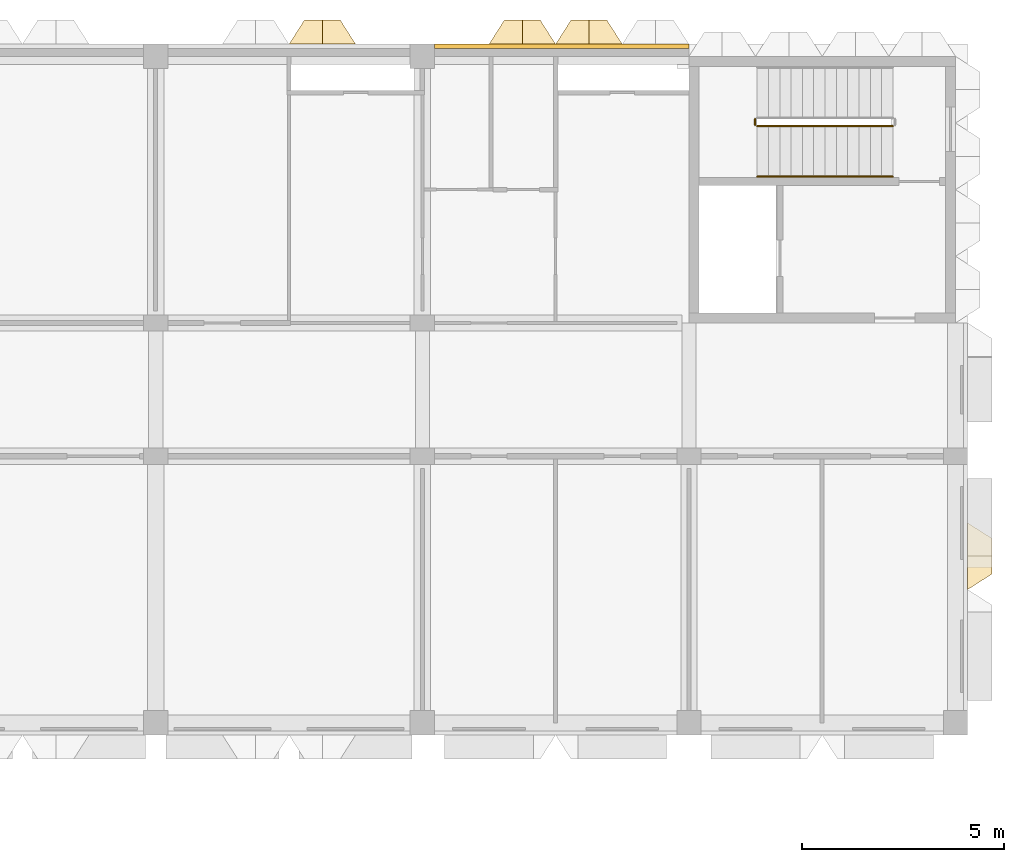
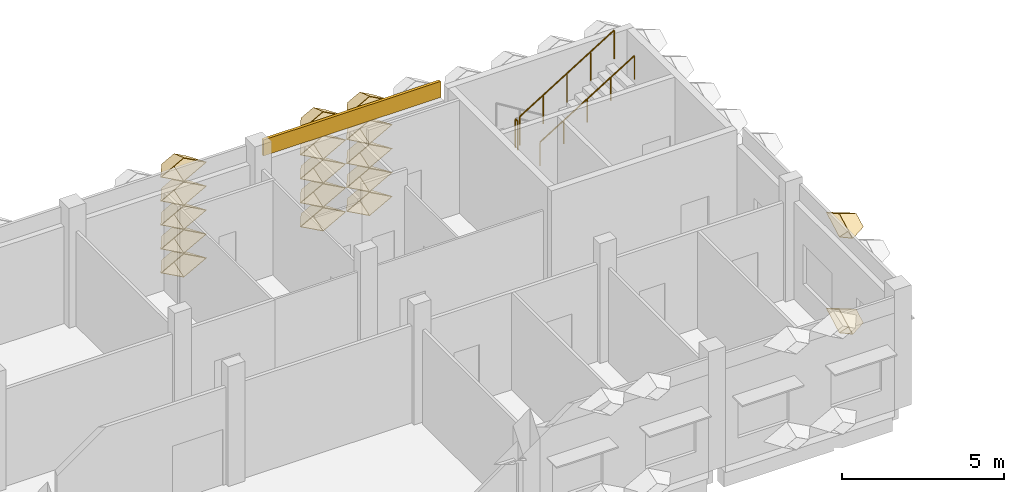
# One storey, part 98 of 102: 18 coverings, 3 railings.
"""IFC4 building model written with IfcOpenShell, lengths in metres."""

from ifc_helpers import new_model, entity, si_unit, direction, frame, frame_2d, origin, origin_2d, place, context, subcontext, project, spatial, rectangle, circle, extrude, material, layer, layer_set, type_object, element, save


model = new_model("IFC4")

# Units and contexts
model_context = context("Model", 3, precision=1e-05, world=origin(), true_north=direction((0.0, 1.0)))
body_context = subcontext(model_context, "Body", "Model", "MODEL_VIEW")
ifc_project = project(units=[si_unit("LENGTHUNIT", "METRE"), si_unit("AREAUNIT", "SQUARE_METRE"), si_unit("VOLUMEUNIT", "CUBIC_METRE"), si_unit("PLANEANGLEUNIT", "RADIAN"), si_unit("MASSUNIT", "GRAM", prefix="KILO")], contexts=[model_context])

# Site, building, storey
site_placement = place(None, origin())
site = spatial("IfcSite", under=ifc_project, at=site_placement, CompositionType="ELEMENT")
building_placement = place(site_placement, origin())
building = spatial("IfcBuilding", under=site, at=building_placement, Name="Lantern Court Research Institute", CompositionType="ELEMENT")
storey_placement = place(building_placement, frame((0.0, 0.0, 9.89990234375)))
storey = spatial("IfcBuildingStorey", under=building, at=storey_placement, Name="L02", CompositionType="ELEMENT", Elevation=9.89990234375)

# Coverings
ifc_material_1 = material(Name="Aluminium composite panel with mineral wool insulation", Category="aluminium")
ifc_layer_1 = layer(ifc_material_1, 0.10009765625)
ifc_layer_set_1 = layer_set([ifc_layer_1], Name="Aluminium composite panel with mineral wool insulation")
covering_type_1 = type_object("IfcCoveringType", Name="Edge fascia panel 100 aluminium faced", PredefinedType="CLADDING", material=ifc_layer_set_1)
covering_1_placement = place(storey_placement, frame((66.300048828125, 99.25, 3.650146484375), z_axis=(0.0, 0.0, 1.0), x_axis=(1.0, 0.0, 0.0)))
element("IfcCovering", 1, at=covering_1_placement, inside=storey, type_object=covering_type_1, Name="Edge fascia V6N L02 10", PredefinedType="CLADDING", context=body_context, shape_type="SweptSolid", body=[
    extrude(rectangle(XDim=6.300048828125, YDim=0.10009765625, at=frame_2d((3.14990234375, 0.0))), origin(), (0.0, 0.0, 1.0), 0.599853515625),
])
ifc_material_2 = material(Name="Anodised aluminium", Category="aluminium")
ifc_layer_2 = layer(ifc_material_2, 0.01611328125)
ifc_layer_set_2 = layer_set([ifc_layer_2], Name="Anodised aluminium")
covering_type_2 = type_object("IfcCoveringType", Name="Fin cassette 1650 x 900 x 600 aluminium", PredefinedType="CLADDING", material=ifc_layer_set_2)
covering_2_placement = place(storey_placement, frame((79.5, 86.625, 0.4501953125), z_axis=(1.0, 0.0, 0.0), x_axis=(0.0, 1.0, 0.0)))
cartesian_point_1 = entity("IfcCartesianPoint", [0.824951171875, 0.0])
cartesian_point_2 = entity("IfcCartesianPoint", [0.79150390625, 0.0])
cartesian_point_3 = entity("IfcCartesianPoint", [0.44189453125, 0.0])
cartesian_point_4 = entity("IfcCartesianPoint", [0.43359375, 0.0])
element("IfcCovering", 2, at=covering_2_placement, inside=storey, type_object=covering_type_2, Name="Fin cassette V6E-L02 1.53", PredefinedType="CLADDING", context=body_context, shape_type="SweptSolid", body=[
    entity("IfcExtrudedAreaSolidTapered", entity("IfcArbitraryProfileDefWithVoids", "AREA", None, entity("IfcPolyline", [cartesian_point_1, entity("IfcCartesianPoint", [0.0, 0.449951171875]), entity("IfcCartesianPoint", [-0.824951171875, 0.0]), entity("IfcCartesianPoint", [0.0, -0.449951171875]), cartesian_point_1]), [entity("IfcPolyline", [cartesian_point_2, entity("IfcCartesianPoint", [0.0, 0.431884765625]), entity("IfcCartesianPoint", [-0.79150390625, 0.0]), entity("IfcCartesianPoint", [0.0, -0.431884765625]), cartesian_point_2])]), entity("IfcAxis2Placement3D", entity("IfcCartesianPoint", [0.0, 0.0, 0.0])), entity("IfcDirection", [0.0, 0.0, 1.0]), 0.60009765625, entity("IfcArbitraryProfileDefWithVoids", "AREA", None, entity("IfcPolyline", [cartesian_point_3, entity("IfcCartesianPoint", [0.0, 0.240966796875]), entity("IfcCartesianPoint", [-0.44189453125, 0.0]), entity("IfcCartesianPoint", [0.0, -0.240966796875]), cartesian_point_3]), [entity("IfcPolyline", [cartesian_point_4, entity("IfcCartesianPoint", [0.0, 0.236572265625]), entity("IfcCartesianPoint", [-0.43359375, 0.0]), entity("IfcCartesianPoint", [0.0, -0.236572265625]), cartesian_point_4])])),
])
covering_3_placement = place(storey_placement, frame((79.5, 86.625, 4.050048828125), z_axis=(1.0, 0.0, 0.0), x_axis=(0.0, 1.0, 0.0)))
cartesian_point_5 = entity("IfcCartesianPoint", [0.824951171875, 0.0])
cartesian_point_6 = entity("IfcCartesianPoint", [0.79150390625, 0.0])
cartesian_point_7 = entity("IfcCartesianPoint", [0.44189453125, 0.0])
cartesian_point_8 = entity("IfcCartesianPoint", [0.43359375, 0.0])
element("IfcCovering", 3, at=covering_3_placement, inside=storey, type_object=covering_type_2, Name="Fin cassette V6E-L02 5.53", PredefinedType="CLADDING", context=body_context, shape_type="SweptSolid", body=[
    entity("IfcExtrudedAreaSolidTapered", entity("IfcArbitraryProfileDefWithVoids", "AREA", None, entity("IfcPolyline", [cartesian_point_5, entity("IfcCartesianPoint", [0.0, 0.449951171875]), entity("IfcCartesianPoint", [-0.824951171875, 0.0]), entity("IfcCartesianPoint", [0.0, -0.449951171875]), cartesian_point_5]), [entity("IfcPolyline", [cartesian_point_6, entity("IfcCartesianPoint", [0.0, 0.431884765625]), entity("IfcCartesianPoint", [-0.79150390625, 0.0]), entity("IfcCartesianPoint", [0.0, -0.431884765625]), cartesian_point_6])]), entity("IfcAxis2Placement3D", entity("IfcCartesianPoint", [0.0, 0.0, 0.0])), entity("IfcDirection", [0.0, 0.0, 1.0]), 0.60009765625, entity("IfcArbitraryProfileDefWithVoids", "AREA", None, entity("IfcPolyline", [cartesian_point_7, entity("IfcCartesianPoint", [0.0, 0.240966796875]), entity("IfcCartesianPoint", [-0.44189453125, 0.0]), entity("IfcCartesianPoint", [0.0, -0.240966796875]), cartesian_point_7]), [entity("IfcPolyline", [cartesian_point_8, entity("IfcCartesianPoint", [0.0, 0.236572265625]), entity("IfcCartesianPoint", [-0.43359375, 0.0]), entity("IfcCartesianPoint", [0.0, -0.236572265625]), cartesian_point_8])])),
])
covering_4_placement = place(storey_placement, frame((63.52490234375, 99.300048828125, 0.4501953125), z_axis=(0.0, 1.0, 0.0), x_axis=(-1.0, 0.0, 0.0)))
cartesian_point_9 = entity("IfcCartesianPoint", [0.824951171875, 0.0])
cartesian_point_10 = entity("IfcCartesianPoint", [0.79150390625, 0.0])
cartesian_point_11 = entity("IfcCartesianPoint", [0.44189453125, 0.0])
cartesian_point_12 = entity("IfcCartesianPoint", [0.43359375, 0.0])
element("IfcCovering", 4, at=covering_4_placement, inside=storey, type_object=covering_type_2, Name="Fin cassette V6N-L02 1.39", PredefinedType="CLADDING", context=body_context, shape_type="SweptSolid", body=[
    entity("IfcExtrudedAreaSolidTapered", entity("IfcArbitraryProfileDefWithVoids", "AREA", None, entity("IfcPolyline", [cartesian_point_9, entity("IfcCartesianPoint", [0.0, 0.449951171875]), entity("IfcCartesianPoint", [-0.824951171875, 0.0]), entity("IfcCartesianPoint", [0.0, -0.449951171875]), cartesian_point_9]), [entity("IfcPolyline", [cartesian_point_10, entity("IfcCartesianPoint", [0.0, 0.431884765625]), entity("IfcCartesianPoint", [-0.79150390625, 0.0]), entity("IfcCartesianPoint", [0.0, -0.431884765625]), cartesian_point_10])]), entity("IfcAxis2Placement3D", entity("IfcCartesianPoint", [0.0, 0.0, 0.0])), entity("IfcDirection", [0.0, 0.0, 1.0]), 0.60009765625, entity("IfcArbitraryProfileDefWithVoids", "AREA", None, entity("IfcPolyline", [cartesian_point_11, entity("IfcCartesianPoint", [0.0, 0.240966796875]), entity("IfcCartesianPoint", [-0.44189453125, 0.0]), entity("IfcCartesianPoint", [0.0, -0.240966796875]), cartesian_point_11]), [entity("IfcPolyline", [cartesian_point_12, entity("IfcCartesianPoint", [0.0, 0.236572265625]), entity("IfcCartesianPoint", [-0.43359375, 0.0]), entity("IfcCartesianPoint", [0.0, -0.236572265625]), cartesian_point_12])])),
])
covering_5_placement = place(storey_placement, frame((68.47509765625, 99.300048828125, 0.4501953125), z_axis=(0.0, 1.0, 0.0), x_axis=(-1.0, 0.0, 0.0)))
cartesian_point_13 = entity("IfcCartesianPoint", [0.824951171875, 0.0])
cartesian_point_14 = entity("IfcCartesianPoint", [0.79150390625, 0.0])
cartesian_point_15 = entity("IfcCartesianPoint", [0.44189453125, 0.0])
cartesian_point_16 = entity("IfcCartesianPoint", [0.43359375, 0.0])
element("IfcCovering", 5, at=covering_5_placement, inside=storey, type_object=covering_type_2, Name="Fin cassette V6N-L02 1.42", PredefinedType="CLADDING", context=body_context, shape_type="SweptSolid", body=[
    entity("IfcExtrudedAreaSolidTapered", entity("IfcArbitraryProfileDefWithVoids", "AREA", None, entity("IfcPolyline", [cartesian_point_13, entity("IfcCartesianPoint", [0.0, 0.449951171875]), entity("IfcCartesianPoint", [-0.824951171875, 0.0]), entity("IfcCartesianPoint", [0.0, -0.449951171875]), cartesian_point_13]), [entity("IfcPolyline", [cartesian_point_14, entity("IfcCartesianPoint", [0.0, 0.431884765625]), entity("IfcCartesianPoint", [-0.79150390625, 0.0]), entity("IfcCartesianPoint", [0.0, -0.431884765625]), cartesian_point_14])]), entity("IfcAxis2Placement3D", entity("IfcCartesianPoint", [0.0, 0.0, 0.0])), entity("IfcDirection", [0.0, 0.0, 1.0]), 0.60009765625, entity("IfcArbitraryProfileDefWithVoids", "AREA", None, entity("IfcPolyline", [cartesian_point_15, entity("IfcCartesianPoint", [0.0, 0.240966796875]), entity("IfcCartesianPoint", [-0.44189453125, 0.0]), entity("IfcCartesianPoint", [0.0, -0.240966796875]), cartesian_point_15]), [entity("IfcPolyline", [cartesian_point_16, entity("IfcCartesianPoint", [0.0, 0.236572265625]), entity("IfcCartesianPoint", [-0.43359375, 0.0]), entity("IfcCartesianPoint", [0.0, -0.236572265625]), cartesian_point_16])])),
])
covering_6_placement = place(storey_placement, frame((70.125, 99.300048828125, 0.4501953125), z_axis=(0.0, 1.0, 0.0), x_axis=(-1.0, 0.0, 0.0)))
cartesian_point_17 = entity("IfcCartesianPoint", [0.824951171875, 0.0])
cartesian_point_18 = entity("IfcCartesianPoint", [0.79150390625, 0.0])
cartesian_point_19 = entity("IfcCartesianPoint", [0.44189453125, 0.0])
cartesian_point_20 = entity("IfcCartesianPoint", [0.43359375, 0.0])
element("IfcCovering", 6, at=covering_6_placement, inside=storey, type_object=covering_type_2, Name="Fin cassette V6N-L02 1.43", PredefinedType="CLADDING", context=body_context, shape_type="SweptSolid", body=[
    entity("IfcExtrudedAreaSolidTapered", entity("IfcArbitraryProfileDefWithVoids", "AREA", None, entity("IfcPolyline", [cartesian_point_17, entity("IfcCartesianPoint", [0.0, 0.449951171875]), entity("IfcCartesianPoint", [-0.824951171875, 0.0]), entity("IfcCartesianPoint", [0.0, -0.449951171875]), cartesian_point_17]), [entity("IfcPolyline", [cartesian_point_18, entity("IfcCartesianPoint", [0.0, 0.431884765625]), entity("IfcCartesianPoint", [-0.79150390625, 0.0]), entity("IfcCartesianPoint", [0.0, -0.431884765625]), cartesian_point_18])]), entity("IfcAxis2Placement3D", entity("IfcCartesianPoint", [0.0, 0.0, 0.0])), entity("IfcDirection", [0.0, 0.0, 1.0]), 0.60009765625, entity("IfcArbitraryProfileDefWithVoids", "AREA", None, entity("IfcPolyline", [cartesian_point_19, entity("IfcCartesianPoint", [0.0, 0.240966796875]), entity("IfcCartesianPoint", [-0.44189453125, 0.0]), entity("IfcCartesianPoint", [0.0, -0.240966796875]), cartesian_point_19]), [entity("IfcPolyline", [cartesian_point_20, entity("IfcCartesianPoint", [0.0, 0.236572265625]), entity("IfcCartesianPoint", [-0.43359375, 0.0]), entity("IfcCartesianPoint", [0.0, -0.236572265625]), cartesian_point_20])])),
])
covering_7_placement = place(storey_placement, frame((63.52490234375, 99.300048828125, 1.35009765625), z_axis=(0.0, 1.0, 0.0), x_axis=(-1.0, 0.0, 0.0)))
cartesian_point_21 = entity("IfcCartesianPoint", [0.824951171875, 0.0])
cartesian_point_22 = entity("IfcCartesianPoint", [0.79150390625, 0.0])
cartesian_point_23 = entity("IfcCartesianPoint", [0.44189453125, 0.0])
cartesian_point_24 = entity("IfcCartesianPoint", [0.43359375, 0.0])
element("IfcCovering", 7, at=covering_7_placement, inside=storey, type_object=covering_type_2, Name="Fin cassette V6N-L02 2.39", PredefinedType="CLADDING", context=body_context, shape_type="SweptSolid", body=[
    entity("IfcExtrudedAreaSolidTapered", entity("IfcArbitraryProfileDefWithVoids", "AREA", None, entity("IfcPolyline", [cartesian_point_21, entity("IfcCartesianPoint", [0.0, 0.449951171875]), entity("IfcCartesianPoint", [-0.824951171875, 0.0]), entity("IfcCartesianPoint", [0.0, -0.449951171875]), cartesian_point_21]), [entity("IfcPolyline", [cartesian_point_22, entity("IfcCartesianPoint", [0.0, 0.431884765625]), entity("IfcCartesianPoint", [-0.79150390625, 0.0]), entity("IfcCartesianPoint", [0.0, -0.431884765625]), cartesian_point_22])]), entity("IfcAxis2Placement3D", entity("IfcCartesianPoint", [0.0, 0.0, 0.0])), entity("IfcDirection", [0.0, 0.0, 1.0]), 0.60009765625, entity("IfcArbitraryProfileDefWithVoids", "AREA", None, entity("IfcPolyline", [cartesian_point_23, entity("IfcCartesianPoint", [0.0, 0.240966796875]), entity("IfcCartesianPoint", [-0.44189453125, 0.0]), entity("IfcCartesianPoint", [0.0, -0.240966796875]), cartesian_point_23]), [entity("IfcPolyline", [cartesian_point_24, entity("IfcCartesianPoint", [0.0, 0.236572265625]), entity("IfcCartesianPoint", [-0.43359375, 0.0]), entity("IfcCartesianPoint", [0.0, -0.236572265625]), cartesian_point_24])])),
])
covering_8_placement = place(storey_placement, frame((68.47509765625, 99.300048828125, 1.35009765625), z_axis=(0.0, 1.0, 0.0), x_axis=(-1.0, 0.0, 0.0)))
cartesian_point_25 = entity("IfcCartesianPoint", [0.824951171875, 0.0])
cartesian_point_26 = entity("IfcCartesianPoint", [0.79150390625, 0.0])
cartesian_point_27 = entity("IfcCartesianPoint", [0.44189453125, 0.0])
cartesian_point_28 = entity("IfcCartesianPoint", [0.43359375, 0.0])
element("IfcCovering", 8, at=covering_8_placement, inside=storey, type_object=covering_type_2, Name="Fin cassette V6N-L02 2.42", PredefinedType="CLADDING", context=body_context, shape_type="SweptSolid", body=[
    entity("IfcExtrudedAreaSolidTapered", entity("IfcArbitraryProfileDefWithVoids", "AREA", None, entity("IfcPolyline", [cartesian_point_25, entity("IfcCartesianPoint", [0.0, 0.449951171875]), entity("IfcCartesianPoint", [-0.824951171875, 0.0]), entity("IfcCartesianPoint", [0.0, -0.449951171875]), cartesian_point_25]), [entity("IfcPolyline", [cartesian_point_26, entity("IfcCartesianPoint", [0.0, 0.431884765625]), entity("IfcCartesianPoint", [-0.79150390625, 0.0]), entity("IfcCartesianPoint", [0.0, -0.431884765625]), cartesian_point_26])]), entity("IfcAxis2Placement3D", entity("IfcCartesianPoint", [0.0, 0.0, 0.0])), entity("IfcDirection", [0.0, 0.0, 1.0]), 0.60009765625, entity("IfcArbitraryProfileDefWithVoids", "AREA", None, entity("IfcPolyline", [cartesian_point_27, entity("IfcCartesianPoint", [0.0, 0.240966796875]), entity("IfcCartesianPoint", [-0.44189453125, 0.0]), entity("IfcCartesianPoint", [0.0, -0.240966796875]), cartesian_point_27]), [entity("IfcPolyline", [cartesian_point_28, entity("IfcCartesianPoint", [0.0, 0.236572265625]), entity("IfcCartesianPoint", [-0.43359375, 0.0]), entity("IfcCartesianPoint", [0.0, -0.236572265625]), cartesian_point_28])])),
])
covering_9_placement = place(storey_placement, frame((70.125, 99.300048828125, 1.35009765625), z_axis=(0.0, 1.0, 0.0), x_axis=(-1.0, 0.0, 0.0)))
cartesian_point_29 = entity("IfcCartesianPoint", [0.824951171875, 0.0])
cartesian_point_30 = entity("IfcCartesianPoint", [0.79150390625, 0.0])
cartesian_point_31 = entity("IfcCartesianPoint", [0.44189453125, 0.0])
cartesian_point_32 = entity("IfcCartesianPoint", [0.43359375, 0.0])
element("IfcCovering", 9, at=covering_9_placement, inside=storey, type_object=covering_type_2, Name="Fin cassette V6N-L02 2.43", PredefinedType="CLADDING", context=body_context, shape_type="SweptSolid", body=[
    entity("IfcExtrudedAreaSolidTapered", entity("IfcArbitraryProfileDefWithVoids", "AREA", None, entity("IfcPolyline", [cartesian_point_29, entity("IfcCartesianPoint", [0.0, 0.449951171875]), entity("IfcCartesianPoint", [-0.824951171875, 0.0]), entity("IfcCartesianPoint", [0.0, -0.449951171875]), cartesian_point_29]), [entity("IfcPolyline", [cartesian_point_30, entity("IfcCartesianPoint", [0.0, 0.431884765625]), entity("IfcCartesianPoint", [-0.79150390625, 0.0]), entity("IfcCartesianPoint", [0.0, -0.431884765625]), cartesian_point_30])]), entity("IfcAxis2Placement3D", entity("IfcCartesianPoint", [0.0, 0.0, 0.0])), entity("IfcDirection", [0.0, 0.0, 1.0]), 0.60009765625, entity("IfcArbitraryProfileDefWithVoids", "AREA", None, entity("IfcPolyline", [cartesian_point_31, entity("IfcCartesianPoint", [0.0, 0.240966796875]), entity("IfcCartesianPoint", [-0.44189453125, 0.0]), entity("IfcCartesianPoint", [0.0, -0.240966796875]), cartesian_point_31]), [entity("IfcPolyline", [cartesian_point_32, entity("IfcCartesianPoint", [0.0, 0.236572265625]), entity("IfcCartesianPoint", [-0.43359375, 0.0]), entity("IfcCartesianPoint", [0.0, -0.236572265625]), cartesian_point_32])])),
])
covering_10_placement = place(storey_placement, frame((63.52490234375, 99.300048828125, 2.25), z_axis=(0.0, 1.0, 0.0), x_axis=(-1.0, 0.0, 0.0)))
cartesian_point_33 = entity("IfcCartesianPoint", [0.824951171875, 0.0])
cartesian_point_34 = entity("IfcCartesianPoint", [0.79150390625, 0.0])
cartesian_point_35 = entity("IfcCartesianPoint", [0.44189453125, 0.0])
cartesian_point_36 = entity("IfcCartesianPoint", [0.43359375, 0.0])
element("IfcCovering", 10, at=covering_10_placement, inside=storey, type_object=covering_type_2, Name="Fin cassette V6N-L02 3.39", PredefinedType="CLADDING", context=body_context, shape_type="SweptSolid", body=[
    entity("IfcExtrudedAreaSolidTapered", entity("IfcArbitraryProfileDefWithVoids", "AREA", None, entity("IfcPolyline", [cartesian_point_33, entity("IfcCartesianPoint", [0.0, 0.449951171875]), entity("IfcCartesianPoint", [-0.824951171875, 0.0]), entity("IfcCartesianPoint", [0.0, -0.449951171875]), cartesian_point_33]), [entity("IfcPolyline", [cartesian_point_34, entity("IfcCartesianPoint", [0.0, 0.431884765625]), entity("IfcCartesianPoint", [-0.79150390625, 0.0]), entity("IfcCartesianPoint", [0.0, -0.431884765625]), cartesian_point_34])]), entity("IfcAxis2Placement3D", entity("IfcCartesianPoint", [0.0, 0.0, 0.0])), entity("IfcDirection", [0.0, 0.0, 1.0]), 0.60009765625, entity("IfcArbitraryProfileDefWithVoids", "AREA", None, entity("IfcPolyline", [cartesian_point_35, entity("IfcCartesianPoint", [0.0, 0.240966796875]), entity("IfcCartesianPoint", [-0.44189453125, 0.0]), entity("IfcCartesianPoint", [0.0, -0.240966796875]), cartesian_point_35]), [entity("IfcPolyline", [cartesian_point_36, entity("IfcCartesianPoint", [0.0, 0.236572265625]), entity("IfcCartesianPoint", [-0.43359375, 0.0]), entity("IfcCartesianPoint", [0.0, -0.236572265625]), cartesian_point_36])])),
])
covering_11_placement = place(storey_placement, frame((68.47509765625, 99.300048828125, 2.25), z_axis=(0.0, 1.0, 0.0), x_axis=(-1.0, 0.0, 0.0)))
cartesian_point_37 = entity("IfcCartesianPoint", [0.824951171875, 0.0])
cartesian_point_38 = entity("IfcCartesianPoint", [0.79150390625, 0.0])
cartesian_point_39 = entity("IfcCartesianPoint", [0.44189453125, 0.0])
cartesian_point_40 = entity("IfcCartesianPoint", [0.43359375, 0.0])
element("IfcCovering", 11, at=covering_11_placement, inside=storey, type_object=covering_type_2, Name="Fin cassette V6N-L02 3.42", PredefinedType="CLADDING", context=body_context, shape_type="SweptSolid", body=[
    entity("IfcExtrudedAreaSolidTapered", entity("IfcArbitraryProfileDefWithVoids", "AREA", None, entity("IfcPolyline", [cartesian_point_37, entity("IfcCartesianPoint", [0.0, 0.449951171875]), entity("IfcCartesianPoint", [-0.824951171875, 0.0]), entity("IfcCartesianPoint", [0.0, -0.449951171875]), cartesian_point_37]), [entity("IfcPolyline", [cartesian_point_38, entity("IfcCartesianPoint", [0.0, 0.431884765625]), entity("IfcCartesianPoint", [-0.79150390625, 0.0]), entity("IfcCartesianPoint", [0.0, -0.431884765625]), cartesian_point_38])]), entity("IfcAxis2Placement3D", entity("IfcCartesianPoint", [0.0, 0.0, 0.0])), entity("IfcDirection", [0.0, 0.0, 1.0]), 0.60009765625, entity("IfcArbitraryProfileDefWithVoids", "AREA", None, entity("IfcPolyline", [cartesian_point_39, entity("IfcCartesianPoint", [0.0, 0.240966796875]), entity("IfcCartesianPoint", [-0.44189453125, 0.0]), entity("IfcCartesianPoint", [0.0, -0.240966796875]), cartesian_point_39]), [entity("IfcPolyline", [cartesian_point_40, entity("IfcCartesianPoint", [0.0, 0.236572265625]), entity("IfcCartesianPoint", [-0.43359375, 0.0]), entity("IfcCartesianPoint", [0.0, -0.236572265625]), cartesian_point_40])])),
])
covering_12_placement = place(storey_placement, frame((70.125, 99.300048828125, 2.25), z_axis=(0.0, 1.0, 0.0), x_axis=(-1.0, 0.0, 0.0)))
cartesian_point_41 = entity("IfcCartesianPoint", [0.824951171875, 0.0])
cartesian_point_42 = entity("IfcCartesianPoint", [0.79150390625, 0.0])
cartesian_point_43 = entity("IfcCartesianPoint", [0.44189453125, 0.0])
cartesian_point_44 = entity("IfcCartesianPoint", [0.43359375, 0.0])
element("IfcCovering", 12, at=covering_12_placement, inside=storey, type_object=covering_type_2, Name="Fin cassette V6N-L02 3.43", PredefinedType="CLADDING", context=body_context, shape_type="SweptSolid", body=[
    entity("IfcExtrudedAreaSolidTapered", entity("IfcArbitraryProfileDefWithVoids", "AREA", None, entity("IfcPolyline", [cartesian_point_41, entity("IfcCartesianPoint", [0.0, 0.449951171875]), entity("IfcCartesianPoint", [-0.824951171875, 0.0]), entity("IfcCartesianPoint", [0.0, -0.449951171875]), cartesian_point_41]), [entity("IfcPolyline", [cartesian_point_42, entity("IfcCartesianPoint", [0.0, 0.431884765625]), entity("IfcCartesianPoint", [-0.79150390625, 0.0]), entity("IfcCartesianPoint", [0.0, -0.431884765625]), cartesian_point_42])]), entity("IfcAxis2Placement3D", entity("IfcCartesianPoint", [0.0, 0.0, 0.0])), entity("IfcDirection", [0.0, 0.0, 1.0]), 0.60009765625, entity("IfcArbitraryProfileDefWithVoids", "AREA", None, entity("IfcPolyline", [cartesian_point_43, entity("IfcCartesianPoint", [0.0, 0.240966796875]), entity("IfcCartesianPoint", [-0.44189453125, 0.0]), entity("IfcCartesianPoint", [0.0, -0.240966796875]), cartesian_point_43]), [entity("IfcPolyline", [cartesian_point_44, entity("IfcCartesianPoint", [0.0, 0.236572265625]), entity("IfcCartesianPoint", [-0.43359375, 0.0]), entity("IfcCartesianPoint", [0.0, -0.236572265625]), cartesian_point_44])])),
])
covering_13_placement = place(storey_placement, frame((63.52490234375, 99.300048828125, 3.150146484375), z_axis=(0.0, 1.0, 0.0), x_axis=(-1.0, 0.0, 0.0)))
cartesian_point_45 = entity("IfcCartesianPoint", [0.824951171875, 0.0])
cartesian_point_46 = entity("IfcCartesianPoint", [0.79150390625, 0.0])
cartesian_point_47 = entity("IfcCartesianPoint", [0.44189453125, 0.0])
cartesian_point_48 = entity("IfcCartesianPoint", [0.43359375, 0.0])
element("IfcCovering", 13, at=covering_13_placement, inside=storey, type_object=covering_type_2, Name="Fin cassette V6N-L02 4.39", PredefinedType="CLADDING", context=body_context, shape_type="SweptSolid", body=[
    entity("IfcExtrudedAreaSolidTapered", entity("IfcArbitraryProfileDefWithVoids", "AREA", None, entity("IfcPolyline", [cartesian_point_45, entity("IfcCartesianPoint", [0.0, 0.449951171875]), entity("IfcCartesianPoint", [-0.824951171875, 0.0]), entity("IfcCartesianPoint", [0.0, -0.449951171875]), cartesian_point_45]), [entity("IfcPolyline", [cartesian_point_46, entity("IfcCartesianPoint", [0.0, 0.431884765625]), entity("IfcCartesianPoint", [-0.79150390625, 0.0]), entity("IfcCartesianPoint", [0.0, -0.431884765625]), cartesian_point_46])]), entity("IfcAxis2Placement3D", entity("IfcCartesianPoint", [0.0, 0.0, 0.0])), entity("IfcDirection", [0.0, 0.0, 1.0]), 0.60009765625, entity("IfcArbitraryProfileDefWithVoids", "AREA", None, entity("IfcPolyline", [cartesian_point_47, entity("IfcCartesianPoint", [0.0, 0.240966796875]), entity("IfcCartesianPoint", [-0.44189453125, 0.0]), entity("IfcCartesianPoint", [0.0, -0.240966796875]), cartesian_point_47]), [entity("IfcPolyline", [cartesian_point_48, entity("IfcCartesianPoint", [0.0, 0.236572265625]), entity("IfcCartesianPoint", [-0.43359375, 0.0]), entity("IfcCartesianPoint", [0.0, -0.236572265625]), cartesian_point_48])])),
])
covering_14_placement = place(storey_placement, frame((68.47509765625, 99.300048828125, 3.150146484375), z_axis=(0.0, 1.0, 0.0), x_axis=(-1.0, 0.0, 0.0)))
cartesian_point_49 = entity("IfcCartesianPoint", [0.824951171875, 0.0])
cartesian_point_50 = entity("IfcCartesianPoint", [0.79150390625, 0.0])
cartesian_point_51 = entity("IfcCartesianPoint", [0.44189453125, 0.0])
cartesian_point_52 = entity("IfcCartesianPoint", [0.43359375, 0.0])
element("IfcCovering", 14, at=covering_14_placement, inside=storey, type_object=covering_type_2, Name="Fin cassette V6N-L02 4.42", PredefinedType="CLADDING", context=body_context, shape_type="SweptSolid", body=[
    entity("IfcExtrudedAreaSolidTapered", entity("IfcArbitraryProfileDefWithVoids", "AREA", None, entity("IfcPolyline", [cartesian_point_49, entity("IfcCartesianPoint", [0.0, 0.449951171875]), entity("IfcCartesianPoint", [-0.824951171875, 0.0]), entity("IfcCartesianPoint", [0.0, -0.449951171875]), cartesian_point_49]), [entity("IfcPolyline", [cartesian_point_50, entity("IfcCartesianPoint", [0.0, 0.431884765625]), entity("IfcCartesianPoint", [-0.79150390625, 0.0]), entity("IfcCartesianPoint", [0.0, -0.431884765625]), cartesian_point_50])]), entity("IfcAxis2Placement3D", entity("IfcCartesianPoint", [0.0, 0.0, 0.0])), entity("IfcDirection", [0.0, 0.0, 1.0]), 0.60009765625, entity("IfcArbitraryProfileDefWithVoids", "AREA", None, entity("IfcPolyline", [cartesian_point_51, entity("IfcCartesianPoint", [0.0, 0.240966796875]), entity("IfcCartesianPoint", [-0.44189453125, 0.0]), entity("IfcCartesianPoint", [0.0, -0.240966796875]), cartesian_point_51]), [entity("IfcPolyline", [cartesian_point_52, entity("IfcCartesianPoint", [0.0, 0.236572265625]), entity("IfcCartesianPoint", [-0.43359375, 0.0]), entity("IfcCartesianPoint", [0.0, -0.236572265625]), cartesian_point_52])])),
])
covering_15_placement = place(storey_placement, frame((70.125, 99.300048828125, 3.150146484375), z_axis=(0.0, 1.0, 0.0), x_axis=(-1.0, 0.0, 0.0)))
cartesian_point_53 = entity("IfcCartesianPoint", [0.824951171875, 0.0])
cartesian_point_54 = entity("IfcCartesianPoint", [0.79150390625, 0.0])
cartesian_point_55 = entity("IfcCartesianPoint", [0.44189453125, 0.0])
cartesian_point_56 = entity("IfcCartesianPoint", [0.43359375, 0.0])
element("IfcCovering", 15, at=covering_15_placement, inside=storey, type_object=covering_type_2, Name="Fin cassette V6N-L02 4.43", PredefinedType="CLADDING", context=body_context, shape_type="SweptSolid", body=[
    entity("IfcExtrudedAreaSolidTapered", entity("IfcArbitraryProfileDefWithVoids", "AREA", None, entity("IfcPolyline", [cartesian_point_53, entity("IfcCartesianPoint", [0.0, 0.449951171875]), entity("IfcCartesianPoint", [-0.824951171875, 0.0]), entity("IfcCartesianPoint", [0.0, -0.449951171875]), cartesian_point_53]), [entity("IfcPolyline", [cartesian_point_54, entity("IfcCartesianPoint", [0.0, 0.431884765625]), entity("IfcCartesianPoint", [-0.79150390625, 0.0]), entity("IfcCartesianPoint", [0.0, -0.431884765625]), cartesian_point_54])]), entity("IfcAxis2Placement3D", entity("IfcCartesianPoint", [0.0, 0.0, 0.0])), entity("IfcDirection", [0.0, 0.0, 1.0]), 0.60009765625, entity("IfcArbitraryProfileDefWithVoids", "AREA", None, entity("IfcPolyline", [cartesian_point_55, entity("IfcCartesianPoint", [0.0, 0.240966796875]), entity("IfcCartesianPoint", [-0.44189453125, 0.0]), entity("IfcCartesianPoint", [0.0, -0.240966796875]), cartesian_point_55]), [entity("IfcPolyline", [cartesian_point_56, entity("IfcCartesianPoint", [0.0, 0.236572265625]), entity("IfcCartesianPoint", [-0.43359375, 0.0]), entity("IfcCartesianPoint", [0.0, -0.236572265625]), cartesian_point_56])])),
])
covering_16_placement = place(storey_placement, frame((63.52490234375, 99.300048828125, 4.050048828125), z_axis=(0.0, 1.0, 0.0), x_axis=(-1.0, 0.0, 0.0)))
cartesian_point_57 = entity("IfcCartesianPoint", [0.824951171875, 0.0])
cartesian_point_58 = entity("IfcCartesianPoint", [0.79150390625, 0.0])
cartesian_point_59 = entity("IfcCartesianPoint", [0.44189453125, 0.0])
cartesian_point_60 = entity("IfcCartesianPoint", [0.43359375, 0.0])
element("IfcCovering", 16, at=covering_16_placement, inside=storey, type_object=covering_type_2, Name="Fin cassette V6N-L02 5.39", PredefinedType="CLADDING", context=body_context, shape_type="SweptSolid", body=[
    entity("IfcExtrudedAreaSolidTapered", entity("IfcArbitraryProfileDefWithVoids", "AREA", None, entity("IfcPolyline", [cartesian_point_57, entity("IfcCartesianPoint", [0.0, 0.449951171875]), entity("IfcCartesianPoint", [-0.824951171875, 0.0]), entity("IfcCartesianPoint", [0.0, -0.449951171875]), cartesian_point_57]), [entity("IfcPolyline", [cartesian_point_58, entity("IfcCartesianPoint", [0.0, 0.431884765625]), entity("IfcCartesianPoint", [-0.79150390625, 0.0]), entity("IfcCartesianPoint", [0.0, -0.431884765625]), cartesian_point_58])]), entity("IfcAxis2Placement3D", entity("IfcCartesianPoint", [0.0, 0.0, 0.0])), entity("IfcDirection", [0.0, 0.0, 1.0]), 0.60009765625, entity("IfcArbitraryProfileDefWithVoids", "AREA", None, entity("IfcPolyline", [cartesian_point_59, entity("IfcCartesianPoint", [0.0, 0.240966796875]), entity("IfcCartesianPoint", [-0.44189453125, 0.0]), entity("IfcCartesianPoint", [0.0, -0.240966796875]), cartesian_point_59]), [entity("IfcPolyline", [cartesian_point_60, entity("IfcCartesianPoint", [0.0, 0.236572265625]), entity("IfcCartesianPoint", [-0.43359375, 0.0]), entity("IfcCartesianPoint", [0.0, -0.236572265625]), cartesian_point_60])])),
])
covering_17_placement = place(storey_placement, frame((68.47509765625, 99.300048828125, 4.050048828125), z_axis=(0.0, 1.0, 0.0), x_axis=(-1.0, 0.0, 0.0)))
cartesian_point_61 = entity("IfcCartesianPoint", [0.824951171875, 0.0])
cartesian_point_62 = entity("IfcCartesianPoint", [0.79150390625, 0.0])
cartesian_point_63 = entity("IfcCartesianPoint", [0.44189453125, 0.0])
cartesian_point_64 = entity("IfcCartesianPoint", [0.43359375, 0.0])
element("IfcCovering", 17, at=covering_17_placement, inside=storey, type_object=covering_type_2, Name="Fin cassette V6N-L02 5.42", PredefinedType="CLADDING", context=body_context, shape_type="SweptSolid", body=[
    entity("IfcExtrudedAreaSolidTapered", entity("IfcArbitraryProfileDefWithVoids", "AREA", None, entity("IfcPolyline", [cartesian_point_61, entity("IfcCartesianPoint", [0.0, 0.449951171875]), entity("IfcCartesianPoint", [-0.824951171875, 0.0]), entity("IfcCartesianPoint", [0.0, -0.449951171875]), cartesian_point_61]), [entity("IfcPolyline", [cartesian_point_62, entity("IfcCartesianPoint", [0.0, 0.431884765625]), entity("IfcCartesianPoint", [-0.79150390625, 0.0]), entity("IfcCartesianPoint", [0.0, -0.431884765625]), cartesian_point_62])]), entity("IfcAxis2Placement3D", entity("IfcCartesianPoint", [0.0, 0.0, 0.0])), entity("IfcDirection", [0.0, 0.0, 1.0]), 0.60009765625, entity("IfcArbitraryProfileDefWithVoids", "AREA", None, entity("IfcPolyline", [cartesian_point_63, entity("IfcCartesianPoint", [0.0, 0.240966796875]), entity("IfcCartesianPoint", [-0.44189453125, 0.0]), entity("IfcCartesianPoint", [0.0, -0.240966796875]), cartesian_point_63]), [entity("IfcPolyline", [cartesian_point_64, entity("IfcCartesianPoint", [0.0, 0.236572265625]), entity("IfcCartesianPoint", [-0.43359375, 0.0]), entity("IfcCartesianPoint", [0.0, -0.236572265625]), cartesian_point_64])])),
])
covering_18_placement = place(storey_placement, frame((70.125, 99.300048828125, 4.050048828125), z_axis=(0.0, 1.0, 0.0), x_axis=(-1.0, 0.0, 0.0)))
cartesian_point_65 = entity("IfcCartesianPoint", [0.824951171875, 0.0])
cartesian_point_66 = entity("IfcCartesianPoint", [0.79150390625, 0.0])
cartesian_point_67 = entity("IfcCartesianPoint", [0.44189453125, 0.0])
cartesian_point_68 = entity("IfcCartesianPoint", [0.43359375, 0.0])
element("IfcCovering", 18, at=covering_18_placement, inside=storey, type_object=covering_type_2, Name="Fin cassette V6N-L02 5.43", PredefinedType="CLADDING", context=body_context, shape_type="SweptSolid", body=[
    entity("IfcExtrudedAreaSolidTapered", entity("IfcArbitraryProfileDefWithVoids", "AREA", None, entity("IfcPolyline", [cartesian_point_65, entity("IfcCartesianPoint", [0.0, 0.449951171875]), entity("IfcCartesianPoint", [-0.824951171875, 0.0]), entity("IfcCartesianPoint", [0.0, -0.449951171875]), cartesian_point_65]), [entity("IfcPolyline", [cartesian_point_66, entity("IfcCartesianPoint", [0.0, 0.431884765625]), entity("IfcCartesianPoint", [-0.79150390625, 0.0]), entity("IfcCartesianPoint", [0.0, -0.431884765625]), cartesian_point_66])]), entity("IfcAxis2Placement3D", entity("IfcCartesianPoint", [0.0, 0.0, 0.0])), entity("IfcDirection", [0.0, 0.0, 1.0]), 0.60009765625, entity("IfcArbitraryProfileDefWithVoids", "AREA", None, entity("IfcPolyline", [cartesian_point_67, entity("IfcCartesianPoint", [0.0, 0.240966796875]), entity("IfcCartesianPoint", [-0.44189453125, 0.0]), entity("IfcCartesianPoint", [0.0, -0.240966796875]), cartesian_point_67]), [entity("IfcPolyline", [cartesian_point_68, entity("IfcCartesianPoint", [0.0, 0.236572265625]), entity("IfcCartesianPoint", [-0.43359375, 0.0]), entity("IfcCartesianPoint", [0.0, -0.236572265625]), cartesian_point_68])])),
])

# Railings
ifc_material_3 = material(Name="Structural steel S355", Category="steel")
railing_type_1 = type_object("IfcRailingType", Name="Stair guard 1100 steel", PredefinedType="GUARDRAIL", material=ifc_material_3)
railing_1_placement = place(storey_placement, frame((74.239990234375, 97.449951171875, 2.25)))
element("IfcRailing", 19, at=railing_1_placement, inside=storey, type_object=railing_type_1, Name="L02 ST-W3 stair guard 2", PredefinedType="GUARDRAIL", context=body_context, shape_type="SweptSolid", body=[
    extrude(circle(Radius=0.02392578125, at=origin_2d()), frame((0.0, 0.0, 1.076171875), z_axis=(0.0, -1.0, 0.0), x_axis=(1.0, 0.0, 0.0)), (0.0, 0.0, 1.0), 0.14990234375),
    extrude(circle(Radius=0.02099609375, at=origin_2d()), origin(), (0.0, 0.0, 1.0), 1.052001953125),
    extrude(circle(Radius=0.02099609375, at=origin_2d()), frame((0.0, -0.14990234375, 0.0)), (0.0, 0.0, 1.0), 1.052001953125),
])
railing_2_placement = place(storey_placement, frame((74.2900390625, 97.27490234375, 2.423095703125)))
element("IfcRailing", 20, at=railing_2_placement, inside=storey, type_object=railing_type_1, Name="L02 ST-W3 stair guard 3", PredefinedType="GUARDRAIL", context=body_context, shape_type="SweptSolid", body=[
    extrude(circle(Radius=0.02392578125, at=origin_2d()), frame((0.0, 0.0, 1.076171875), z_axis=(0.850606129759, 0.0, 0.525803396734), x_axis=(0.0, 1.0, 0.0)), (0.0, 0.0, 1.0), 3.949951171875),
    extrude(circle(Radius=0.02099609375, at=origin_2d()), origin(), (0.0, 0.0, 1.0), 1.052001953125),
    extrude(circle(Radius=0.02099609375, at=origin_2d()), frame((0.83984375, 0.0, 0.519287109375)), (0.0, 0.0, 1.0), 1.052001953125),
    extrude(circle(Radius=0.02099609375, at=origin_2d()), frame((1.679931640625, 0.0, 1.03857421875)), (0.0, 0.0, 1.0), 1.052001953125),
    extrude(circle(Radius=0.02099609375, at=origin_2d()), frame((2.52001953125, 0.0, 1.5576171875)), (0.0, 0.0, 1.0), 1.052001953125),
    extrude(circle(Radius=0.02099609375, at=origin_2d()), frame((3.35986328125, 0.0, 2.076904296875)), (0.0, 0.0, 1.0), 1.052001953125),
])
ifc_material_4 = material(Name="Stainless steel 316", Category="steel")
railing_type_2 = type_object("IfcRailingType", Name="Stair handrail 900 steel", PredefinedType="HANDRAIL", material=ifc_material_4)
railing_3_placement = place(storey_placement, frame((74.2900390625, 96.02490234375, 2.423095703125)))
element("IfcRailing", 21, at=railing_3_placement, inside=storey, type_object=railing_type_2, Name="L02 ST-W3 stair handrail 2", PredefinedType="HANDRAIL", context=body_context, shape_type="SweptSolid", body=[
    extrude(circle(Radius=0.02392578125, at=origin_2d()), frame((0.0, 0.0, 0.8759765625), z_axis=(0.850606129759, 0.0, 0.525803396734), x_axis=(0.0, 1.0, 0.0)), (0.0, 0.0, 1.0), 3.949951171875),
    extrude(circle(Radius=0.02099609375, at=origin_2d()), origin(), (0.0, 0.0, 1.0), 0.851806640625),
    extrude(circle(Radius=0.02099609375, at=origin_2d()), frame((0.83984375, 0.0, 0.519287109375)), (0.0, 0.0, 1.0), 0.851806640625),
    extrude(circle(Radius=0.02099609375, at=origin_2d()), frame((1.679931640625, 0.0, 1.03857421875)), (0.0, 0.0, 1.0), 0.851806640625),
    extrude(circle(Radius=0.02099609375, at=origin_2d()), frame((2.52001953125, 0.0, 1.5576171875)), (0.0, 0.0, 1.0), 0.851806640625),
    extrude(circle(Radius=0.02099609375, at=origin_2d()), frame((3.35986328125, 0.0, 2.076904296875)), (0.0, 0.0, 1.0), 0.851806640625),
])

save(model, "model.ifc")
